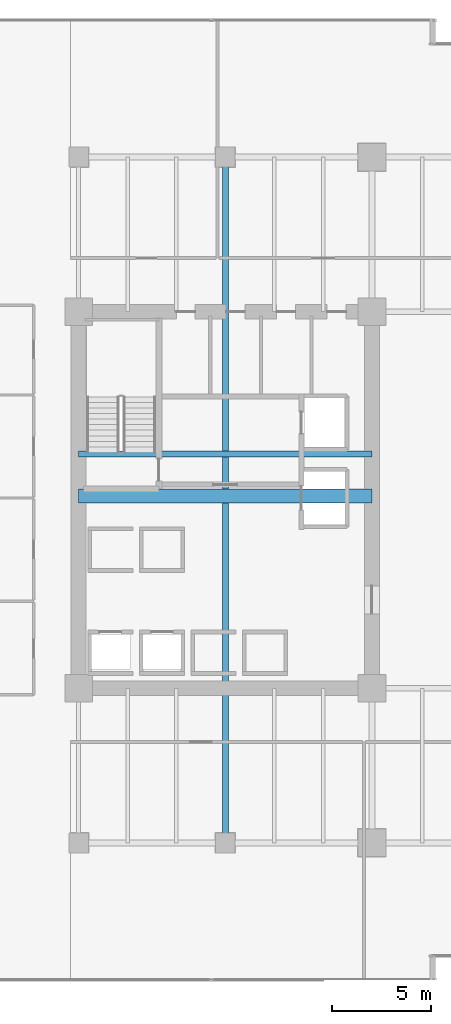
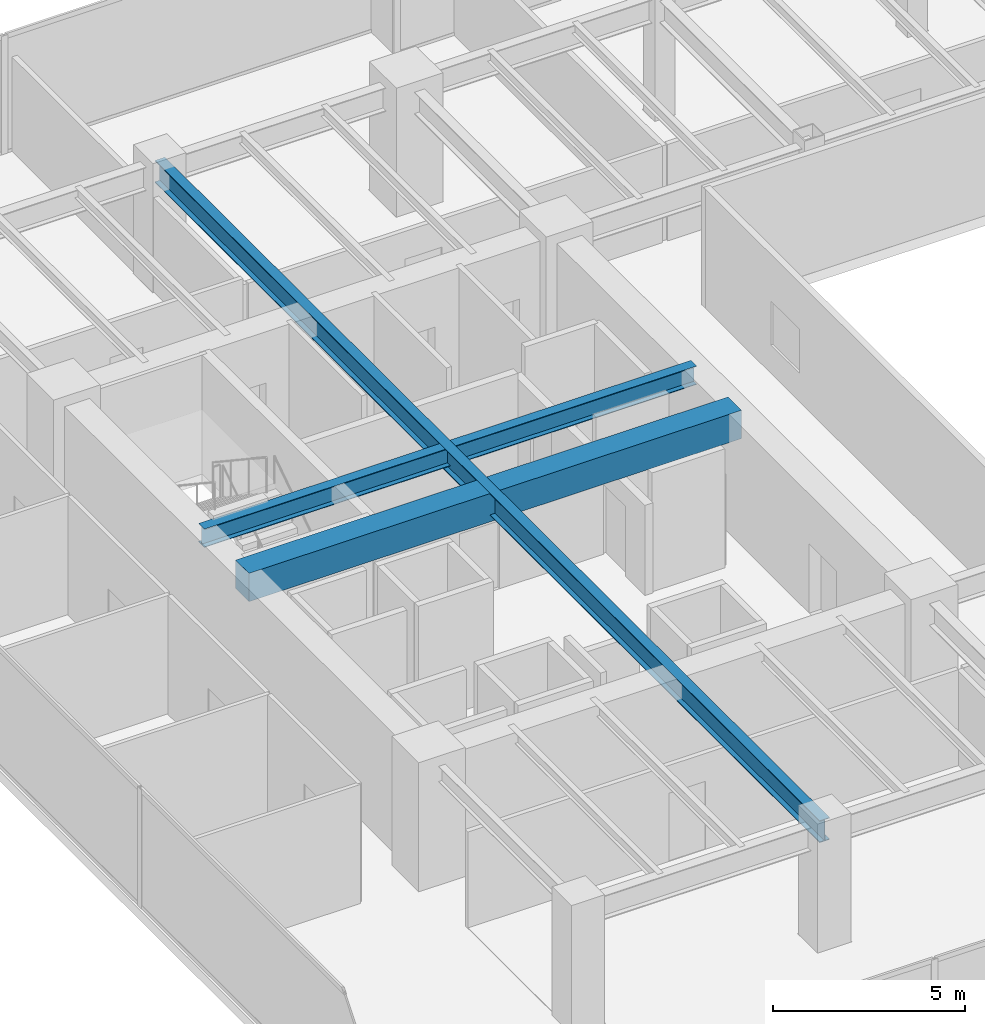
# One storey, part 7 of 36: 3 beams.
"""IFC4 building model written with IfcOpenShell, lengths in metres."""

import ifcopenshell
import ifcopenshell.guid

model = None  # the IFC model being written
_history = None  # IfcOwnerHistory: only IFC2X3 demands one
_inside = {}  # id of a spatial element -> (the spatial element, [elements in it])
_under = {}  # id of a project, library or spatial element -> (it, [spatial elements below it])
_declared = {}  # id of a project -> (the project, [libraries it declares])
_typed = {}  # id of a type object -> (the type object, [elements of that type])
_made_of = {}  # id of a material, layer set ... -> (it, [elements and type objects made of it])


def new_model(schema):
    """Start an empty IFC model of exactly this schema.

    Asked for "IFC4X3", IfcOpenShell would pick the latest addendum, in which some entities
    have other attributes; the version numbers below select the first issue.
    IFC2X3 requires an IfcOwnerHistory on every rooted entity: one is made here for all.
    """
    global model, _history
    if schema == "IFC4X3":
        model = ifcopenshell.file(schema_version=(4, 3, 0, 0))
    else:
        model = ifcopenshell.file(schema=schema)
    _inside.clear()
    _under.clear()
    _declared.clear()
    _typed.clear()
    _made_of.clear()
    _history = None
    if model.schema == "IFC2X3":
        org = make("IfcOrganization", Name="unknown")
        user = make(
            "IfcPersonAndOrganization",
            ThePerson=make("IfcPerson", FamilyName="unknown"),
            TheOrganization=org,
        )
        app = make(
            "IfcApplication",
            ApplicationDeveloper=org,
            Version="unknown",
            ApplicationFullName="unknown",
            ApplicationIdentifier="unknown",
        )
        _history = make(
            "IfcOwnerHistory",
            OwningUser=user,
            OwningApplication=app,
            ChangeAction="ADDED",
            CreationDate=0,
        )
    return model


def make(cls, **values):
    """One entity of the class cls with the attributes given. An attribute that is None is left unset."""
    return model.create_entity(
        cls, **{name: value for name, value in values.items() if value is not None}
    )


def rooted(cls, **values):
    """An entity with a GlobalId (a new one), such as an element, a storey or a relation."""
    return make(cls, GlobalId=ifcopenshell.guid.new(), OwnerHistory=_history, **values)


def si_unit(unit_type, name, prefix=None):
    """IfcSIUnit, for example si_unit("LENGTHUNIT", "METRE", prefix="MILLI")."""
    return make("IfcSIUnit", UnitType=unit_type, Prefix=prefix, Name=name)


def assignment(units):
    """IfcUnitAssignment: the units of a project."""
    return None if units is None else make("IfcUnitAssignment", Units=units)


def point(xyz):
    """IfcCartesianPoint."""
    return None if xyz is None else make("IfcCartesianPoint", Coordinates=xyz)


def direction(xyz):
    """IfcDirection."""
    return None if xyz is None else make("IfcDirection", DirectionRatios=xyz)


def frame(location, z_axis=None, x_axis=None):
    """IfcAxis2Placement3D, a coordinate frame: its origin and axes. An axis left out is left unset."""
    return make(
        "IfcAxis2Placement3D",
        Location=point(location),
        Axis=direction(z_axis),
        RefDirection=direction(x_axis),
    )


def frame_2d(location, x_axis=None):
    """IfcAxis2Placement2D, a coordinate frame in the plane: its origin and x axis."""
    return make(
        "IfcAxis2Placement2D", Location=point(location), RefDirection=direction(x_axis)
    )


def origin():
    """The frame at (0, 0, 0) with its axes left unset."""
    return frame((0.0, 0.0, 0.0))


def origin_2d():
    """The frame at (0, 0) in the plane with its x axis left unset."""
    return frame_2d((0.0, 0.0))


def place(relative_to, where):
    """IfcLocalPlacement: puts the frame where relative to a parent placement (None: the world)."""
    return make(
        "IfcLocalPlacement", PlacementRelTo=relative_to, RelativePlacement=where
    )


def context(
    kind, dimensions, precision=None, world=None, true_north=None, identifier=None
):
    """IfcGeometricRepresentationContext, for example the 3D "Model" context."""
    return make(
        "IfcGeometricRepresentationContext",
        ContextIdentifier=identifier,
        ContextType=kind,
        CoordinateSpaceDimension=dimensions,
        Precision=precision,
        WorldCoordinateSystem=world,
        TrueNorth=true_north,
    )


def subcontext(parent, identifier, kind, view, scale=None):
    """IfcGeometricRepresentationSubContext, for example "Body" below "Model"."""
    return make(
        "IfcGeometricRepresentationSubContext",
        ContextIdentifier=identifier,
        ContextType=kind,
        ParentContext=parent,
        TargetScale=scale,
        TargetView=view,
    )


def project(units=None, contexts=None):
    """IfcProject with its units and contexts."""
    return rooted(
        "IfcProject",
        Name="project",
        RepresentationContexts=contexts,
        UnitsInContext=assignment(units),
    )


def spatial(cls, under=None, at=None, **own):
    """A site, building, storey or space (cls), placed at a placement, below another one or the project."""
    s = rooted(cls, ObjectPlacement=at, **own)
    if under is not None:
        _under.setdefault(under.id(), (under, []))[1].append(s)
    return s


def profile(cls, at=None, kind="AREA", **sizes):
    """A parametric profile (cls). Its sizes go by their IFC names, for example OverallWidth=200.0."""
    return make(cls, ProfileType=kind, Position=at, **sizes)


def rectangle(**sizes):
    """IfcRectangleProfileDef."""
    return profile("IfcRectangleProfileDef", **sizes)


def i_section(**sizes):
    """IfcIShapeProfileDef."""
    return profile("IfcIShapeProfileDef", **sizes)


def extrude(swept, where, along, depth):
    """IfcExtrudedAreaSolid: the profile swept, set in the frame where, extruded along a direction by depth."""
    return make(
        "IfcExtrudedAreaSolid",
        SweptArea=swept,
        Position=where,
        ExtrudedDirection=direction(along),
        Depth=depth,
    )


def shape(context_of_items, identifier, shape_type, items):
    """IfcShapeRepresentation: the items that make up one representation, for example the "Body"."""
    return make(
        "IfcShapeRepresentation",
        ContextOfItems=context_of_items,
        RepresentationIdentifier=identifier,
        RepresentationType=shape_type,
        Items=items,
    )


def source(mapping_origin, context_of_items, identifier, shape_type, items):
    """IfcRepresentationMap: a shape defined once, which mapped items show again and again."""
    return make(
        "IfcRepresentationMap",
        MappingOrigin=mapping_origin,
        MappedRepresentation=shape(context_of_items, identifier, shape_type, items),
    )


def transform(
    local_origin,
    x_axis=None,
    y_axis=None,
    z_axis=None,
    scale=None,
    scale2=None,
    scale3=None,
    uniform=True,
):
    """IfcCartesianTransformationOperator3D, or its non-uniform kind. x_axis, y_axis, z_axis: its Axis1, 2, 3."""
    if uniform:
        return make(
            "IfcCartesianTransformationOperator3D",
            Axis1=direction(x_axis),
            Axis2=direction(y_axis),
            LocalOrigin=point(local_origin),
            Scale=scale,
            Axis3=direction(z_axis),
        )
    return make(
        "IfcCartesianTransformationOperator3DnonUniform",
        Axis1=direction(x_axis),
        Axis2=direction(y_axis),
        LocalOrigin=point(local_origin),
        Scale=scale,
        Axis3=direction(z_axis),
        Scale2=scale2,
        Scale3=scale3,
    )


def mapped(mapping_source, mapping_target):
    """IfcMappedItem: shows the shape of a source again, moved by a transform."""
    return make(
        "IfcMappedItem", MappingSource=mapping_source, MappingTarget=mapping_target
    )


def material(Name=None, Category=None):
    """IfcMaterial."""
    return make("IfcMaterial", Name=Name, Category=Category)


def material_profile(
    of_material, cross_section, Name=None, Category=None, Priority=None
):
    """IfcMaterialProfile: a cross section and its material."""
    return make(
        "IfcMaterialProfile",
        Name=Name,
        Material=of_material,
        Profile=cross_section,
        Priority=Priority,
        Category=Category,
    )


def profile_set(profiles, Name=None, composite=None):
    """IfcMaterialProfileSet."""
    return make(
        "IfcMaterialProfileSet",
        Name=Name,
        MaterialProfiles=profiles,
        CompositeProfile=composite,
    )


def made_of(thing, what):
    """Note that an element or type object is made of a material, layer set ...; save() writes the relation."""
    if what is not None:
        _made_of.setdefault(what.id(), (what, []))[1].append(thing)
    return thing


def type_object(cls, material=None, **own):
    """A type object (cls), such as IfcWallType, which elements share."""
    return made_of(rooted(cls, **own), material)


def type_shapes(of_type, sources):
    """Give a type object the sources (RepresentationMaps) that its elements show as mapped items."""
    of_type.RepresentationMaps = sources


def element(
    cls,
    number,
    at=None,
    inside=None,
    cuts=None,
    type_object=None,
    material=None,
    context=None,
    identifier="Body",
    shape_type=None,
    held_by="IfcProductDefinitionShape",
    body=None,
    shapes=None,
    **own,
):
    """One element of the class cls, such as IfcWall. Its Tag is "e" and its number.

    at: its placement. inside: the storey or other place that contains it. cuts: it is an
    opening in that element (IfcRelVoidsElement). A single representation is given by context,
    identifier, shape_type and body (its items); several are given by shapes. held_by: the class
    of the entity that holds the representations. save() writes the other relations.
    """
    e = rooted(cls, Tag="e%d" % number, ObjectPlacement=at, **own)
    if body is not None:
        shapes = [shape(context, identifier, shape_type, body)]
    if shapes is not None:
        e.Representation = make(held_by, Representations=shapes)
    if inside is not None:
        _inside.setdefault(inside.id(), (inside, []))[1].append(e)
    if cuts is not None:
        rooted(
            "IfcRelVoidsElement", RelatingBuildingElement=cuts, RelatedOpeningElement=e
        )
    if type_object is not None:
        _typed.setdefault(type_object.id(), (type_object, []))[1].append(e)
    return made_of(e, material)


def aggregate(whole, parts):
    """IfcRelAggregates: a whole, such as a stair, and the parts it consists of."""
    return rooted("IfcRelAggregates", RelatingObject=whole, RelatedObjects=parts)


def save(model, path):
    """Write the relations noted so far, then the file.

    IfcRelAggregates (storeys below a building ...), IfcRelContainedInSpatialStructure (elements
    in a storey), IfcRelDefinesByType, IfcRelAssociatesMaterial and IfcRelDeclares: one each for
    every whole, place, type object, material and project.
    """
    for whole, parts in _under.values():
        aggregate(whole, parts)
    for where, things in _inside.values():
        rooted(
            "IfcRelContainedInSpatialStructure",
            RelatedElements=things,
            RelatingStructure=where,
        )
    for kind, things in _typed.values():
        rooted("IfcRelDefinesByType", RelatedObjects=things, RelatingType=kind)
    for what, things in _made_of.values():
        rooted("IfcRelAssociatesMaterial", RelatedObjects=things, RelatingMaterial=what)
    for by, libraries in _declared.values():
        rooted("IfcRelDeclares", RelatingContext=by, RelatedDefinitions=libraries)
    model.write(path)


model = new_model("IFC4")

# Units and contexts
model_context = context("Model", 3, precision=1e-05, world=origin(), true_north=direction((0.0, 1.0)))
body_context = subcontext(model_context, "Body", "Model", "MODEL_VIEW")
ifc_project = project(units=[si_unit("LENGTHUNIT", "METRE"), si_unit("AREAUNIT", "SQUARE_METRE"), si_unit("VOLUMEUNIT", "CUBIC_METRE"), si_unit("PLANEANGLEUNIT", "RADIAN"), si_unit("MASSUNIT", "GRAM", prefix="KILO")], contexts=[model_context])

# Site, building, storey
site_placement = place(None, origin())
site = spatial("IfcSite", under=ifc_project, at=site_placement, CompositionType="ELEMENT")
building_placement = place(site_placement, origin())
building = spatial("IfcBuilding", under=site, at=building_placement, Name="Haelvirn Gate Laboratories", CompositionType="ELEMENT")
storey_placement = place(building_placement, frame((0.0, 0.0, 49.800048828125)))
storey = spatial("IfcBuildingStorey", under=building, at=storey_placement, Name="L12", CompositionType="ELEMENT", Elevation=49.800048828125)

# Beams
ifc_material_1 = material(Name="Concrete C60/75", Category="concrete")
ifc_material_profile_1 = material_profile(ifc_material_1, rectangle(XDim=0.699951171875, YDim=0.89990234375, at=origin_2d()), Name="RCB-700x900")
ifc_profile_set_1 = profile_set([ifc_material_profile_1], Name="Concrete C60/75")
beam_type_1 = type_object("IfcBeamType", Name="BM-RCB-900", PredefinedType="LINTEL", material=ifc_profile_set_1)
shared_shape_1 = source(origin(), body_context, "Body", "SweptSolid", [
    extrude(rectangle(XDim=0.699951171875, YDim=0.89990234375, at=origin_2d()), origin(), (0.0, 0.0, 1.0), 14.800048828125),
])
type_shapes(beam_type_1, [shared_shape_1])
beam_1_placement = place(storey_placement, frame((7.39990234375, 24.5, 3.329833984375), z_axis=(1.0, 0.0, 0.0), x_axis=(0.0, 1.0, 0.0)))
element("IfcBeam", 1, at=beam_1_placement, inside=storey, type_object=beam_type_1, Name="L12 West Core Coupling Beam", PredefinedType="LINTEL", context=body_context, shape_type="MappedRepresentation", body=[
    mapped(shared_shape_1, transform((0.0, 0.0, 0.0), scale=1.0)),
])
ifc_material_2 = material(Name="Steel SM355", Category="steel")
ifc_material_profile_2 = material_profile(ifc_material_2, i_section(OverallWidth=0.300048828125, OverallDepth=0.587890625, WebThickness=0.011962890625, FlangeThickness=0.02001953125, at=origin_2d()), Name="H-588x300x12x20")
ifc_profile_set_2 = profile_set([ifc_material_profile_2], Name="Steel SM355")
beam_type_2 = type_object("IfcBeamType", Name="BM-G-588", PredefinedType="BEAM", material=ifc_profile_set_2)
shared_shape_2 = source(origin(), body_context, "Body", "SweptSolid", [
    extrude(i_section(OverallWidth=0.300048828125, OverallDepth=0.587890625, WebThickness=0.011962890625, FlangeThickness=0.02001953125, at=origin_2d()), origin(), (0.0, 0.0, 1.0), 14.800048828125),
])
type_shapes(beam_type_2, [shared_shape_2])
beam_2_placement = place(storey_placement, frame((7.39990234375, 26.6201171875, 3.48583984375), z_axis=(1.0, 0.0, 0.0), x_axis=(0.0, 1.0, 0.0)))
element("IfcBeam", 2, at=beam_2_placement, inside=storey, type_object=beam_type_2, Name="L12 Stair ST1 Landing Header", PredefinedType="BEAM", context=body_context, shape_type="MappedRepresentation", body=[
    mapped(shared_shape_2, transform((0.0, 0.0, 0.0), scale=1.0)),
])
ifc_material_profile_3 = material_profile(ifc_material_2, i_section(OverallWidth=0.300048828125, OverallDepth=0.699951171875, WebThickness=0.012939453125, FlangeThickness=0.02392578125, at=origin_2d()), Name="H-700x300x13x24")
ifc_profile_set_3 = profile_set([ifc_material_profile_3], Name="Steel SM355")
beam_type_3 = type_object("IfcBeamType", Name="BM-G-700", PredefinedType="BEAM", material=ifc_profile_set_3)
shared_shape_3 = source(origin(), body_context, "Body", "SweptSolid", [
    extrude(i_section(OverallWidth=0.300048828125, OverallDepth=0.699951171875, WebThickness=0.012939453125, FlangeThickness=0.02392578125, at=origin_2d()), origin(), (0.0, 0.0, 1.0), 34.60009765625),
])
type_shapes(beam_type_3, [shared_shape_3])
beam_3_placement = place(storey_placement, frame((14.800048828125, 7.0, 3.429931640625), z_axis=(0.0, 1.0, 0.0), x_axis=(-1.0, 0.0, 0.0)))
element("IfcBeam", 3, at=beam_3_placement, inside=storey, type_object=beam_type_3, Name="L12 Frame Girder X14.8 (7.0-41.6)", PredefinedType="BEAM", context=body_context, shape_type="MappedRepresentation", body=[
    mapped(shared_shape_3, transform((0.0, 0.0, 0.0), scale=1.0)),
])

save(model, "model.ifc")
